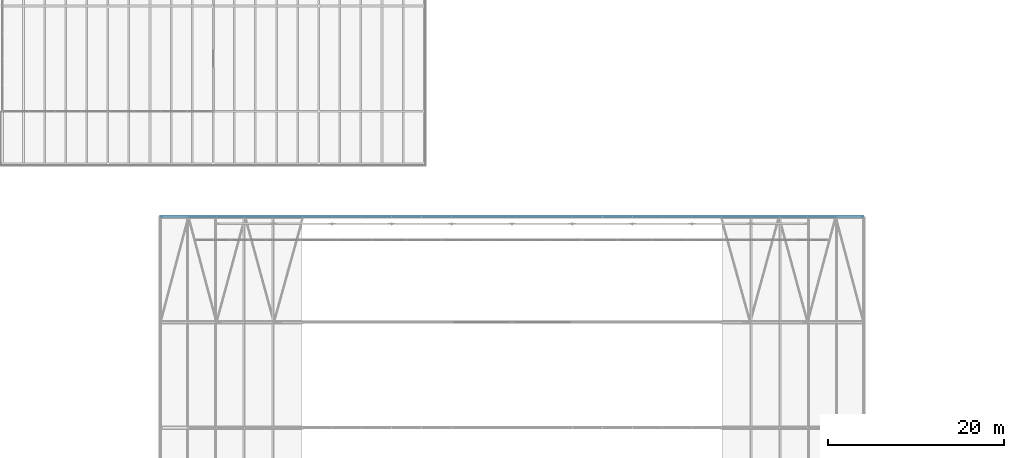
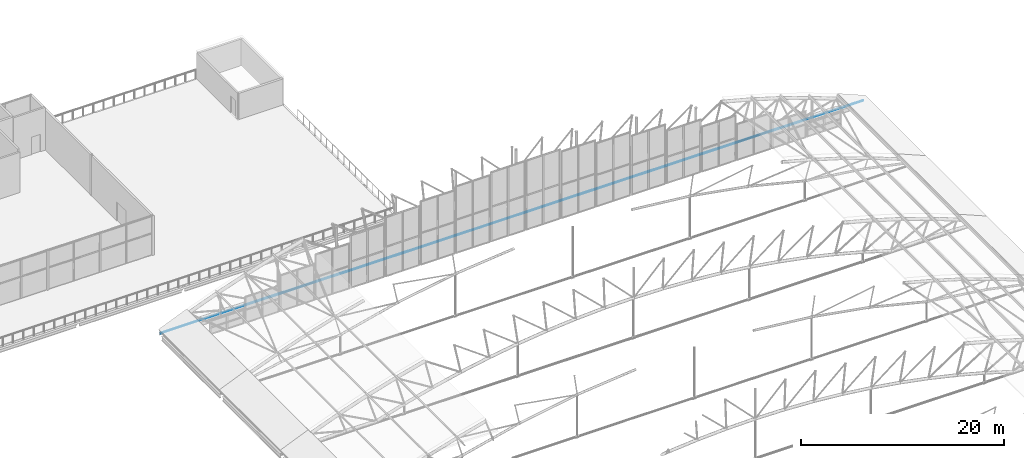
# One storey, part 181 of 321: 1 member.
"""IFC4 building model written with IfcOpenShell, lengths in metres."""

from ifc_helpers import new_model, si_unit, direction, frame, origin, origin_2d, place, context, subcontext, project, spatial, circle, extrude, material, material_profile, profile_set, type_object, element, save


model = new_model("IFC4")

# Units and contexts
model_context = context("Model", 3, precision=1e-05, world=origin(), true_north=direction((0.0, 1.0)))
body_context = subcontext(model_context, "Body", "Model", "MODEL_VIEW")
ifc_project = project(units=[si_unit("LENGTHUNIT", "METRE"), si_unit("AREAUNIT", "SQUARE_METRE"), si_unit("VOLUMEUNIT", "CUBIC_METRE"), si_unit("PLANEANGLEUNIT", "RADIAN"), si_unit("MASSUNIT", "GRAM", prefix="KILO")], contexts=[model_context])

# Site, building, storey
site_placement = place(None, origin())
site = spatial("IfcSite", under=ifc_project, at=site_placement, CompositionType="ELEMENT")
building_placement = place(site_placement, origin())
building = spatial("IfcBuilding", under=site, at=building_placement, Name="Ravi Spectrum Wholesale Market", CompositionType="ELEMENT")
storey_placement = place(building_placement, frame((0.0, 0.0, 10.800048828125)))
storey = spatial("IfcBuildingStorey", under=building, at=storey_placement, Name="L02", CompositionType="ELEMENT", Elevation=10.800048828125)

# Member
ifc_material = material(Name="Steel S460", Category="steel")
ifc_material_profile = material_profile(ifc_material, circle(Radius=0.044921875, at=origin_2d()))
ifc_profile_set = profile_set([ifc_material_profile], Name="Steel S460")
member_type = type_object("IfcMemberType", Name="ROD 90 tie", PredefinedType="BRACE", material=ifc_profile_set)
member_placement = place(storey_placement, frame((30.0, 198.0, 0.0), z_axis=(1.0, 0.0, 0.0), x_axis=(0.0, 1.0, 0.0)))
element("IfcMember", 1, at=member_placement, inside=storey, type_object=member_type, Name="H1-MB-L02-1228", PredefinedType="BRACE", context=body_context, shape_type="SweptSolid", body=[
    extrude(circle(Radius=0.044921875, at=origin_2d()), origin(), (0.0, 0.0, 1.0), 80.0),
])

save(model, "model.ifc")
